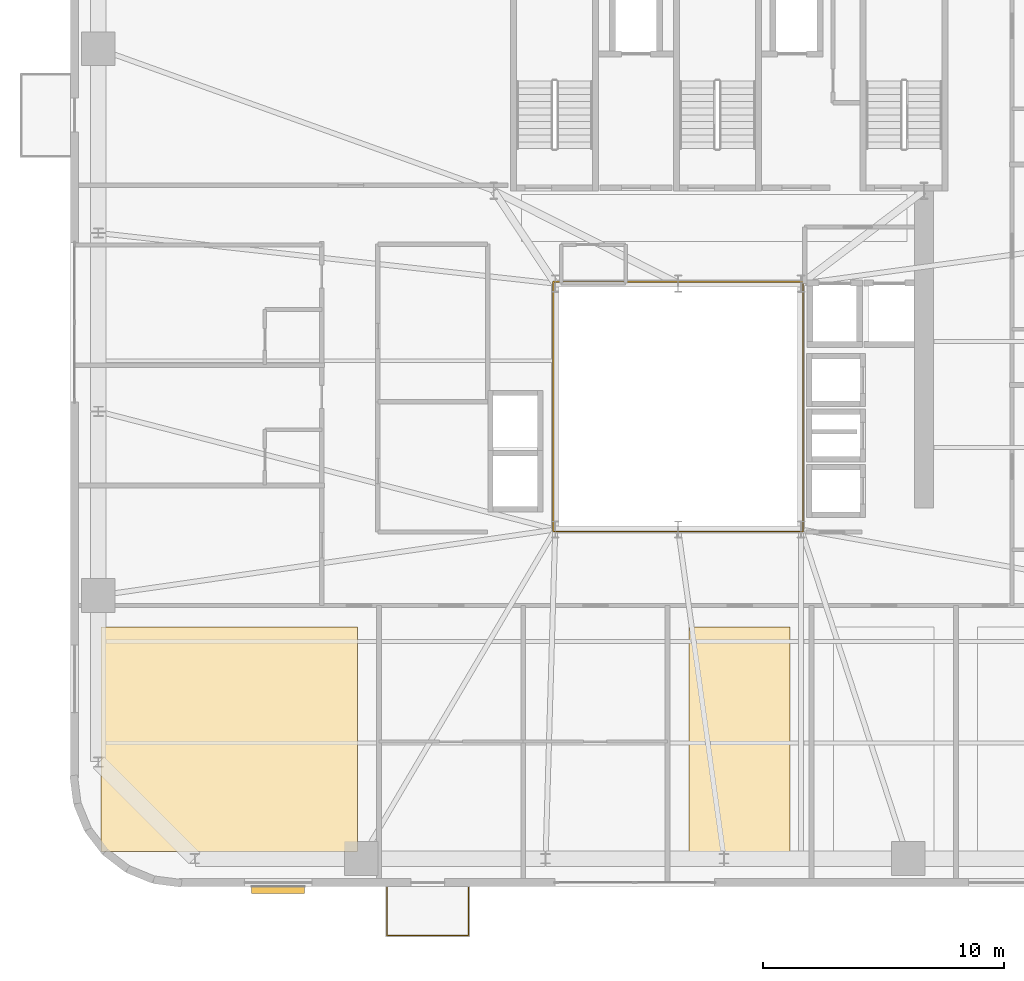
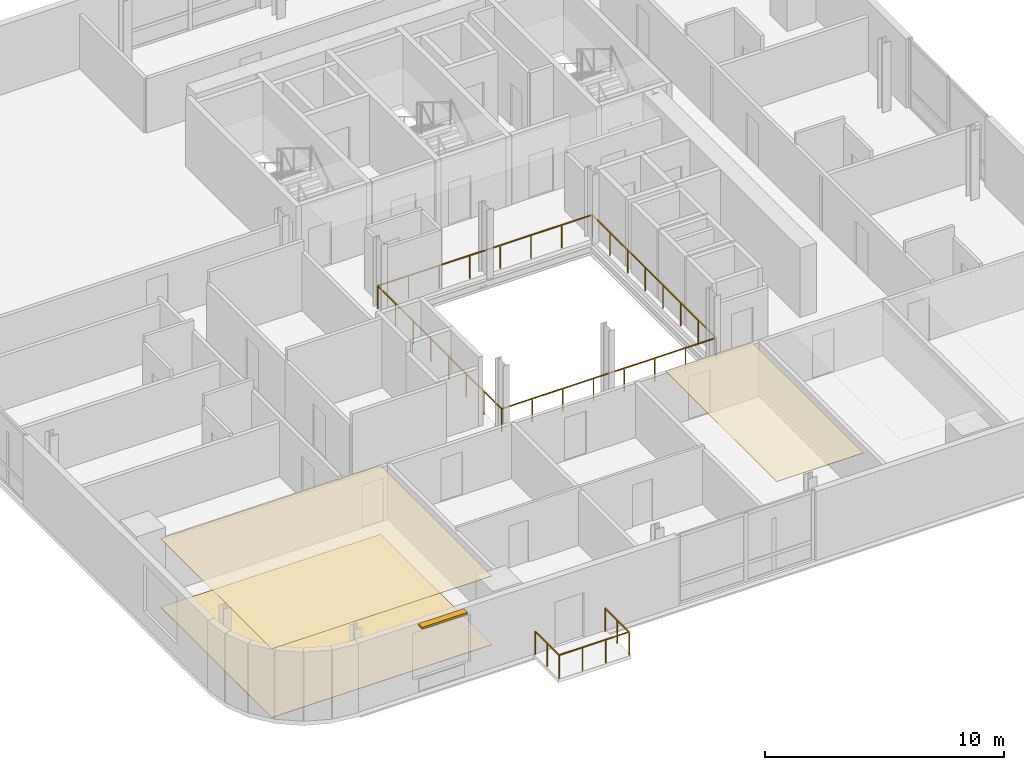
# One storey, part 12 of 16: 3 coverings, 2 railings, 1 shading device.
"""IFC4 building model written with IfcOpenShell, lengths in metres."""

import ifcopenshell
import ifcopenshell.guid

model = None  # the IFC model being written
_history = None  # IfcOwnerHistory: only IFC2X3 demands one
_inside = {}  # id of a spatial element -> (the spatial element, [elements in it])
_under = {}  # id of a project, library or spatial element -> (it, [spatial elements below it])
_declared = {}  # id of a project -> (the project, [libraries it declares])
_typed = {}  # id of a type object -> (the type object, [elements of that type])
_made_of = {}  # id of a material, layer set ... -> (it, [elements and type objects made of it])


def new_model(schema):
    """Start an empty IFC model of exactly this schema.

    Asked for "IFC4X3", IfcOpenShell would pick the latest addendum, in which some entities
    have other attributes; the version numbers below select the first issue.
    IFC2X3 requires an IfcOwnerHistory on every rooted entity: one is made here for all.
    """
    global model, _history
    if schema == "IFC4X3":
        model = ifcopenshell.file(schema_version=(4, 3, 0, 0))
    else:
        model = ifcopenshell.file(schema=schema)
    _inside.clear()
    _under.clear()
    _declared.clear()
    _typed.clear()
    _made_of.clear()
    _history = None
    if model.schema == "IFC2X3":
        org = make("IfcOrganization", Name="unknown")
        user = make(
            "IfcPersonAndOrganization",
            ThePerson=make("IfcPerson", FamilyName="unknown"),
            TheOrganization=org,
        )
        app = make(
            "IfcApplication",
            ApplicationDeveloper=org,
            Version="unknown",
            ApplicationFullName="unknown",
            ApplicationIdentifier="unknown",
        )
        _history = make(
            "IfcOwnerHistory",
            OwningUser=user,
            OwningApplication=app,
            ChangeAction="ADDED",
            CreationDate=0,
        )
    return model


def make(cls, **values):
    """One entity of the class cls with the attributes given. An attribute that is None is left unset."""
    return model.create_entity(
        cls, **{name: value for name, value in values.items() if value is not None}
    )


def rooted(cls, **values):
    """An entity with a GlobalId (a new one), such as an element, a storey or a relation."""
    return make(cls, GlobalId=ifcopenshell.guid.new(), OwnerHistory=_history, **values)


def si_unit(unit_type, name, prefix=None):
    """IfcSIUnit, for example si_unit("LENGTHUNIT", "METRE", prefix="MILLI")."""
    return make("IfcSIUnit", UnitType=unit_type, Prefix=prefix, Name=name)


def assignment(units):
    """IfcUnitAssignment: the units of a project."""
    return None if units is None else make("IfcUnitAssignment", Units=units)


def point(xyz):
    """IfcCartesianPoint."""
    return None if xyz is None else make("IfcCartesianPoint", Coordinates=xyz)


def direction(xyz):
    """IfcDirection."""
    return None if xyz is None else make("IfcDirection", DirectionRatios=xyz)


def frame(location, z_axis=None, x_axis=None):
    """IfcAxis2Placement3D, a coordinate frame: its origin and axes. An axis left out is left unset."""
    return make(
        "IfcAxis2Placement3D",
        Location=point(location),
        Axis=direction(z_axis),
        RefDirection=direction(x_axis),
    )


def frame_2d(location, x_axis=None):
    """IfcAxis2Placement2D, a coordinate frame in the plane: its origin and x axis."""
    return make(
        "IfcAxis2Placement2D", Location=point(location), RefDirection=direction(x_axis)
    )


def origin():
    """The frame at (0, 0, 0) with its axes left unset."""
    return frame((0.0, 0.0, 0.0))


def origin_2d():
    """The frame at (0, 0) in the plane with its x axis left unset."""
    return frame_2d((0.0, 0.0))


def place(relative_to, where):
    """IfcLocalPlacement: puts the frame where relative to a parent placement (None: the world)."""
    return make(
        "IfcLocalPlacement", PlacementRelTo=relative_to, RelativePlacement=where
    )


def context(
    kind, dimensions, precision=None, world=None, true_north=None, identifier=None
):
    """IfcGeometricRepresentationContext, for example the 3D "Model" context."""
    return make(
        "IfcGeometricRepresentationContext",
        ContextIdentifier=identifier,
        ContextType=kind,
        CoordinateSpaceDimension=dimensions,
        Precision=precision,
        WorldCoordinateSystem=world,
        TrueNorth=true_north,
    )


def subcontext(parent, identifier, kind, view, scale=None):
    """IfcGeometricRepresentationSubContext, for example "Body" below "Model"."""
    return make(
        "IfcGeometricRepresentationSubContext",
        ContextIdentifier=identifier,
        ContextType=kind,
        ParentContext=parent,
        TargetScale=scale,
        TargetView=view,
    )


def project(units=None, contexts=None):
    """IfcProject with its units and contexts."""
    return rooted(
        "IfcProject",
        Name="project",
        RepresentationContexts=contexts,
        UnitsInContext=assignment(units),
    )


def spatial(cls, under=None, at=None, **own):
    """A site, building, storey or space (cls), placed at a placement, below another one or the project."""
    s = rooted(cls, ObjectPlacement=at, **own)
    if under is not None:
        _under.setdefault(under.id(), (under, []))[1].append(s)
    return s


def polyline(points):
    """IfcPolyline through the points."""
    return make("IfcPolyline", Points=[point(p) for p in points])


def profile(cls, at=None, kind="AREA", **sizes):
    """A parametric profile (cls). Its sizes go by their IFC names, for example OverallWidth=200.0."""
    return make(cls, ProfileType=kind, Position=at, **sizes)


def rectangle(**sizes):
    """IfcRectangleProfileDef."""
    return profile("IfcRectangleProfileDef", **sizes)


def outline(outer, holes=None, kind="AREA"):
    """IfcArbitraryClosedProfileDef: a profile drawn as a closed curve; with holes, ...WithVoids."""
    if holes is None:
        return make("IfcArbitraryClosedProfileDef", ProfileType=kind, OuterCurve=outer)
    return make(
        "IfcArbitraryProfileDefWithVoids",
        ProfileType=kind,
        OuterCurve=outer,
        InnerCurves=holes,
    )


def extrude(swept, where, along, depth):
    """IfcExtrudedAreaSolid: the profile swept, set in the frame where, extruded along a direction by depth."""
    return make(
        "IfcExtrudedAreaSolid",
        SweptArea=swept,
        Position=where,
        ExtrudedDirection=direction(along),
        Depth=depth,
    )


def shape(context_of_items, identifier, shape_type, items):
    """IfcShapeRepresentation: the items that make up one representation, for example the "Body"."""
    return make(
        "IfcShapeRepresentation",
        ContextOfItems=context_of_items,
        RepresentationIdentifier=identifier,
        RepresentationType=shape_type,
        Items=items,
    )


def source(mapping_origin, context_of_items, identifier, shape_type, items):
    """IfcRepresentationMap: a shape defined once, which mapped items show again and again."""
    return make(
        "IfcRepresentationMap",
        MappingOrigin=mapping_origin,
        MappedRepresentation=shape(context_of_items, identifier, shape_type, items),
    )


def transform(
    local_origin,
    x_axis=None,
    y_axis=None,
    z_axis=None,
    scale=None,
    scale2=None,
    scale3=None,
    uniform=True,
):
    """IfcCartesianTransformationOperator3D, or its non-uniform kind. x_axis, y_axis, z_axis: its Axis1, 2, 3."""
    if uniform:
        return make(
            "IfcCartesianTransformationOperator3D",
            Axis1=direction(x_axis),
            Axis2=direction(y_axis),
            LocalOrigin=point(local_origin),
            Scale=scale,
            Axis3=direction(z_axis),
        )
    return make(
        "IfcCartesianTransformationOperator3DnonUniform",
        Axis1=direction(x_axis),
        Axis2=direction(y_axis),
        LocalOrigin=point(local_origin),
        Scale=scale,
        Axis3=direction(z_axis),
        Scale2=scale2,
        Scale3=scale3,
    )


def mapped(mapping_source, mapping_target):
    """IfcMappedItem: shows the shape of a source again, moved by a transform."""
    return make(
        "IfcMappedItem", MappingSource=mapping_source, MappingTarget=mapping_target
    )


def material(Name=None, Category=None):
    """IfcMaterial."""
    return make("IfcMaterial", Name=Name, Category=Category)


def layer(
    of_material, thickness, ventilated=None, Name=None, Category=None, Priority=None
):
    """IfcMaterialLayer: one layer of a wall or slab, of a material (None: an air gap)."""
    return make(
        "IfcMaterialLayer",
        Material=of_material,
        LayerThickness=thickness,
        IsVentilated=ventilated,
        Name=Name,
        Category=Category,
        Priority=Priority,
    )


def layer_set(layers, Name=None):
    """IfcMaterialLayerSet."""
    return make("IfcMaterialLayerSet", MaterialLayers=layers, LayerSetName=Name)


def made_of(thing, what):
    """Note that an element or type object is made of a material, layer set ...; save() writes the relation."""
    if what is not None:
        _made_of.setdefault(what.id(), (what, []))[1].append(thing)
    return thing


def type_object(cls, material=None, **own):
    """A type object (cls), such as IfcWallType, which elements share."""
    return made_of(rooted(cls, **own), material)


def element(
    cls,
    number,
    at=None,
    inside=None,
    cuts=None,
    type_object=None,
    material=None,
    context=None,
    identifier="Body",
    shape_type=None,
    held_by="IfcProductDefinitionShape",
    body=None,
    shapes=None,
    **own,
):
    """One element of the class cls, such as IfcWall. Its Tag is "e" and its number.

    at: its placement. inside: the storey or other place that contains it. cuts: it is an
    opening in that element (IfcRelVoidsElement). A single representation is given by context,
    identifier, shape_type and body (its items); several are given by shapes. held_by: the class
    of the entity that holds the representations. save() writes the other relations.
    """
    e = rooted(cls, Tag="e%d" % number, ObjectPlacement=at, **own)
    if body is not None:
        shapes = [shape(context, identifier, shape_type, body)]
    if shapes is not None:
        e.Representation = make(held_by, Representations=shapes)
    if inside is not None:
        _inside.setdefault(inside.id(), (inside, []))[1].append(e)
    if cuts is not None:
        rooted(
            "IfcRelVoidsElement", RelatingBuildingElement=cuts, RelatedOpeningElement=e
        )
    if type_object is not None:
        _typed.setdefault(type_object.id(), (type_object, []))[1].append(e)
    return made_of(e, material)


def aggregate(whole, parts):
    """IfcRelAggregates: a whole, such as a stair, and the parts it consists of."""
    return rooted("IfcRelAggregates", RelatingObject=whole, RelatedObjects=parts)


def save(model, path):
    """Write the relations noted so far, then the file.

    IfcRelAggregates (storeys below a building ...), IfcRelContainedInSpatialStructure (elements
    in a storey), IfcRelDefinesByType, IfcRelAssociatesMaterial and IfcRelDeclares: one each for
    every whole, place, type object, material and project.
    """
    for whole, parts in _under.values():
        aggregate(whole, parts)
    for where, things in _inside.values():
        rooted(
            "IfcRelContainedInSpatialStructure",
            RelatedElements=things,
            RelatingStructure=where,
        )
    for kind, things in _typed.values():
        rooted("IfcRelDefinesByType", RelatedObjects=things, RelatingType=kind)
    for what, things in _made_of.values():
        rooted("IfcRelAssociatesMaterial", RelatedObjects=things, RelatingMaterial=what)
    for by, libraries in _declared.values():
        rooted("IfcRelDeclares", RelatingContext=by, RelatedDefinitions=libraries)
    model.write(path)


model = new_model("IFC4")

# Units and contexts
model_context = context("Model", 3, precision=1e-05, world=origin(), true_north=direction((0.0, 1.0)))
body_context = subcontext(model_context, "Body", "Model", "MODEL_VIEW")
ifc_project = project(units=[si_unit("LENGTHUNIT", "METRE"), si_unit("AREAUNIT", "SQUARE_METRE"), si_unit("VOLUMEUNIT", "CUBIC_METRE"), si_unit("PLANEANGLEUNIT", "RADIAN"), si_unit("MASSUNIT", "GRAM", prefix="KILO")], contexts=[model_context])

# Site, building, storey
site_placement = place(None, origin())
site = spatial("IfcSite", under=ifc_project, at=site_placement, CompositionType="ELEMENT")
building_placement = place(site_placement, origin())
building = spatial("IfcBuilding", under=site, at=building_placement, Name="Vardaveli Station Tower", CompositionType="ELEMENT")
storey_placement = place(building_placement, frame((0.0, 0.0, 203.550048828125)))
storey = spatial("IfcBuildingStorey", under=building, at=storey_placement, Name="L52", CompositionType="ELEMENT", Elevation=203.550048828125)

# Coverings
ifc_material_1 = material(Name="Perforated acoustic mineral ceiling")
ifc_layer_1 = layer(ifc_material_1, 0.02001953125, Name="Perforated acoustic mineral ceiling")
ifc_layer_set_1 = layer_set([ifc_layer_1], Name="Perforated acoustic mineral ceiling")
covering_type_1 = type_object("IfcCoveringType", Name="COV-CEIL-AC20", PredefinedType="CEILING", material=ifc_layer_set_1)
covering_1_placement = place(storey_placement, frame((0.0, 0.0, 3.514892578125)))
element("IfcCovering", 1, at=covering_1_placement, inside=storey, type_object=covering_type_1, Name="CEIL-L52-1", PredefinedType="CEILING", context=body_context, shape_type="SweptSolid", body=[
    extrude(outline(polyline([(12.35009765625, 3.25), (22.989990234375, 3.25), (22.989990234375, 12.550048828125), (12.35009765625, 12.550048828125), (12.35009765625, 3.25)])), origin(), (0.0, 0.0, 1.0), 0.02001953125),
])
covering_2_placement = place(storey_placement, frame((0.0, 0.0, 3.514892578125)))
element("IfcCovering", 2, at=covering_2_placement, inside=storey, type_object=covering_type_1, Name="CEIL-L52-2", PredefinedType="CEILING", context=body_context, shape_type="SweptSolid", body=[
    extrude(outline(polyline([(36.7548828125, 3.25), (40.9375, 3.25), (40.9375, 12.550048828125), (36.7548828125, 12.550048828125), (36.7548828125, 3.25)])), origin(), (0.0, 0.0, 1.0), 0.02001953125),
])
ifc_material_2 = material(Name="Honed Caucasian basalt and travertine flooring", Category="masonry")
ifc_layer_2 = layer(ifc_material_2, 0.030029296875, Name="Honed Caucasian basalt and travertine flooring")
ifc_layer_set_2 = layer_set([ifc_layer_2], Name="Honed Caucasian basalt and travertine flooring")
covering_type_2 = type_object("IfcCoveringType", Name="COV-FLOOR-ST30", PredefinedType="FLOORING", material=ifc_layer_set_2)
covering_3_placement = place(storey_placement, origin())
element("IfcCovering", 3, at=covering_3_placement, inside=storey, type_object=covering_type_2, Name="FLR-L52-1", PredefinedType="FLOORING", context=body_context, shape_type="SweptSolid", body=[
    extrude(outline(polyline([(12.35009765625, 3.25), (22.989990234375, 3.25), (22.989990234375, 12.550048828125), (12.35009765625, 12.550048828125), (12.35009765625, 3.25)])), origin(), (0.0, 0.0, 1.0), 0.030029296875),
])

# Railing
ifc_material_3 = material(Name="Laminated glass and stainless steel balustrade", Category="steel")
railing_type = type_object("IfcRailingType", Name="RL-BAL-1200", PredefinedType="BALUSTRADE", material=ifc_material_3)
shared_shape_1 = source(origin(), body_context, "Body", "SweptSolid", [
    extrude(rectangle(XDim=0.048095703125, YDim=0.048095703125, at=origin_2d()), frame((0.0, 0.0, 1.17578125), z_axis=(0.0, -1.0, 0.0), x_axis=(1.0, 0.0, 0.0)), (0.0, 0.0, 1.0), 2.0),
    extrude(rectangle(XDim=0.048095703125, YDim=0.048095703125, at=origin_2d()), frame((0.0, -2.0, 1.17578125), z_axis=(1.0, 0.0, 0.0), x_axis=(0.0, 1.0, 0.0)), (0.0, 0.0, 1.0), 3.3798828125),
    extrude(rectangle(XDim=0.048095703125, YDim=0.048095703125, at=origin_2d()), frame((3.3798828125, -2.0, 1.17578125), z_axis=(0.0, 1.0, 0.0), x_axis=(-1.0, 0.0, 0.0)), (0.0, 0.0, 1.0), 2.0),
    extrude(rectangle(XDim=0.0419921875, YDim=0.0419921875, at=origin_2d()), origin(), (0.0, 0.0, 1.0), 1.15185546875),
    extrude(rectangle(XDim=0.0419921875, YDim=0.0419921875, at=origin_2d()), frame((0.0, -1.0, 0.0)), (0.0, 0.0, 1.0), 1.15185546875),
    extrude(rectangle(XDim=0.0419921875, YDim=0.0419921875, at=origin_2d()), frame((0.0, -2.0, 0.0)), (0.0, 0.0, 1.0), 1.15185546875),
    extrude(rectangle(XDim=0.0419921875, YDim=0.0419921875, at=origin_2d()), frame((1.126708984375, -2.0, 0.0)), (0.0, 0.0, 1.0), 1.15185546875),
    extrude(rectangle(XDim=0.0419921875, YDim=0.0419921875, at=origin_2d()), frame((2.253173828125, -2.0, 0.0)), (0.0, 0.0, 1.0), 1.15185546875),
    extrude(rectangle(XDim=0.0419921875, YDim=0.0419921875, at=origin_2d()), frame((3.3798828125, -2.0, 0.0)), (0.0, 0.0, 1.0), 1.15185546875),
    extrude(rectangle(XDim=0.0419921875, YDim=0.0419921875, at=origin_2d()), frame((3.3798828125, -1.0, 0.0)), (0.0, 0.0, 1.0), 1.15185546875),
    extrude(rectangle(XDim=0.0419921875, YDim=0.0419921875, at=origin_2d()), frame((3.3798828125, 0.0, 0.0)), (0.0, 0.0, 1.0), 1.15185546875),
])
railing_1_placement = place(storey_placement, frame((24.220458984375, 1.760009765625, 0.0)))
element("IfcRailing", 4, at=railing_1_placement, inside=storey, type_object=railing_type, Name="RL-LOG-L52-01", PredefinedType="BALUSTRADE", context=body_context, shape_type="MappedRepresentation", body=[
    mapped(shared_shape_1, transform((0.0, 0.0, 0.0), scale=1.0)),
])

# Shading device
ifc_material_4 = material(Name="Anodised champagne aluminium sunshade", Category="aluminium")
ifc_layer_3 = layer(ifc_material_4, 0.090087890625, Name="Anodised champagne aluminium sunshade")
ifc_layer_set_3 = layer_set([ifc_layer_3], Name="Anodised champagne aluminium sunshade")
shading_device_type = type_object("IfcShadingDeviceType", Name="SHD-SUNSHADE", PredefinedType="USERDEFINED", material=ifc_layer_set_3)
shared_shape_2 = source(origin(), body_context, "Body", "SweptSolid", [
    extrude(rectangle(XDim=2.199951171875, YDim=0.320068359375, at=origin_2d()), origin(), (0.0, 0.0, 1.0), 0.090087890625),
])
shading_device_placement = place(storey_placement, frame((19.705078125, 1.655029296875, 3.40966796875), z_axis=(0.0, 0.0, 1.0), x_axis=(1.0, 0.0, 0.0)))
element("IfcShadingDevice", 5, at=shading_device_placement, inside=storey, type_object=shading_device_type, Name="SHD-SS-L52-S", ObjectType="SUNSHADE", PredefinedType="USERDEFINED", context=body_context, shape_type="MappedRepresentation", body=[
    mapped(shared_shape_2, transform((0.0, 0.0, 0.0), scale=1.0)),
])

# Railing
shared_shape_3 = source(origin(), body_context, "Body", "SweptSolid", [
    extrude(rectangle(XDim=0.048095703125, YDim=0.048095703125, at=origin_2d()), frame((0.0, 0.0, 1.17578125), z_axis=(1.0, 0.0, 0.0), x_axis=(0.0, 1.0, 0.0)), (0.0, 0.0, 1.0), 10.35986328125),
    extrude(rectangle(XDim=0.048095703125, YDim=0.048095703125, at=origin_2d()), frame((10.35986328125, 0.0, 1.17578125), z_axis=(0.0, 1.0, 0.0), x_axis=(-1.0, 0.0, 0.0)), (0.0, 0.0, 1.0), 10.35986328125),
    extrude(rectangle(XDim=0.048095703125, YDim=0.048095703125, at=origin_2d()), frame((10.35986328125, 10.35986328125, 1.17578125), z_axis=(-1.0, 0.0, 0.0), x_axis=(0.0, -1.0, 0.0)), (0.0, 0.0, 1.0), 10.35986328125),
    extrude(rectangle(XDim=0.048095703125, YDim=0.048095703125, at=origin_2d()), frame((0.0, 10.35986328125, 1.17578125), z_axis=(0.0, -1.0, 0.0), x_axis=(1.0, 0.0, 0.0)), (0.0, 0.0, 1.0), 10.35986328125),
    extrude(rectangle(XDim=0.0419921875, YDim=0.0419921875, at=origin_2d()), origin(), (0.0, 0.0, 1.0), 1.15185546875),
    extrude(rectangle(XDim=0.0419921875, YDim=0.0419921875, at=origin_2d()), frame((1.47998046875, 0.0, 0.0)), (0.0, 0.0, 1.0), 1.15185546875),
    extrude(rectangle(XDim=0.0419921875, YDim=0.0419921875, at=origin_2d()), frame((2.9599609375, 0.0, 0.0)), (0.0, 0.0, 1.0), 1.15185546875),
    extrude(rectangle(XDim=0.0419921875, YDim=0.0419921875, at=origin_2d()), frame((4.43994140625, 0.0, 0.0)), (0.0, 0.0, 1.0), 1.15185546875),
    extrude(rectangle(XDim=0.0419921875, YDim=0.0419921875, at=origin_2d()), frame((5.919921875, 0.0, 0.0)), (0.0, 0.0, 1.0), 1.15185546875),
    extrude(rectangle(XDim=0.0419921875, YDim=0.0419921875, at=origin_2d()), frame((7.39990234375, 0.0, 0.0)), (0.0, 0.0, 1.0), 1.15185546875),
    extrude(rectangle(XDim=0.0419921875, YDim=0.0419921875, at=origin_2d()), frame((8.8798828125, 0.0, 0.0)), (0.0, 0.0, 1.0), 1.15185546875),
    extrude(rectangle(XDim=0.0419921875, YDim=0.0419921875, at=origin_2d()), frame((10.35986328125, 0.0, 0.0)), (0.0, 0.0, 1.0), 1.15185546875),
    extrude(rectangle(XDim=0.0419921875, YDim=0.0419921875, at=origin_2d()), frame((10.35986328125, 1.47998046875, 0.0)), (0.0, 0.0, 1.0), 1.15185546875),
    extrude(rectangle(XDim=0.0419921875, YDim=0.0419921875, at=origin_2d()), frame((10.35986328125, 2.9599609375, 0.0)), (0.0, 0.0, 1.0), 1.15185546875),
    extrude(rectangle(XDim=0.0419921875, YDim=0.0419921875, at=origin_2d()), frame((10.35986328125, 4.43994140625, 0.0)), (0.0, 0.0, 1.0), 1.15185546875),
    extrude(rectangle(XDim=0.0419921875, YDim=0.0419921875, at=origin_2d()), frame((10.35986328125, 5.919921875, 0.0)), (0.0, 0.0, 1.0), 1.15185546875),
    extrude(rectangle(XDim=0.0419921875, YDim=0.0419921875, at=origin_2d()), frame((10.35986328125, 7.39990234375, 0.0)), (0.0, 0.0, 1.0), 1.15185546875),
    extrude(rectangle(XDim=0.0419921875, YDim=0.0419921875, at=origin_2d()), frame((10.35986328125, 8.8798828125, 0.0)), (0.0, 0.0, 1.0), 1.15185546875),
    extrude(rectangle(XDim=0.0419921875, YDim=0.0419921875, at=origin_2d()), frame((10.35986328125, 10.35986328125, 0.0)), (0.0, 0.0, 1.0), 1.15185546875),
    extrude(rectangle(XDim=0.0419921875, YDim=0.0419921875, at=origin_2d()), frame((8.8798828125, 10.35986328125, 0.0)), (0.0, 0.0, 1.0), 1.15185546875),
    extrude(rectangle(XDim=0.0419921875, YDim=0.0419921875, at=origin_2d()), frame((7.39990234375, 10.35986328125, 0.0)), (0.0, 0.0, 1.0), 1.15185546875),
    extrude(rectangle(XDim=0.0419921875, YDim=0.0419921875, at=origin_2d()), frame((5.919921875, 10.35986328125, 0.0)), (0.0, 0.0, 1.0), 1.15185546875),
    extrude(rectangle(XDim=0.0419921875, YDim=0.0419921875, at=origin_2d()), frame((4.43994140625, 10.35986328125, 0.0)), (0.0, 0.0, 1.0), 1.15185546875),
    extrude(rectangle(XDim=0.0419921875, YDim=0.0419921875, at=origin_2d()), frame((2.9599609375, 10.35986328125, 0.0)), (0.0, 0.0, 1.0), 1.15185546875),
    extrude(rectangle(XDim=0.0419921875, YDim=0.0419921875, at=origin_2d()), frame((1.47998046875, 10.35986328125, 0.0)), (0.0, 0.0, 1.0), 1.15185546875),
    extrude(rectangle(XDim=0.0419921875, YDim=0.0419921875, at=origin_2d()), frame((0.0, 10.35986328125, 0.0)), (0.0, 0.0, 1.0), 1.15185546875),
    extrude(rectangle(XDim=0.0419921875, YDim=0.0419921875, at=origin_2d()), frame((0.0, 8.8798828125, 0.0)), (0.0, 0.0, 1.0), 1.15185546875),
    extrude(rectangle(XDim=0.0419921875, YDim=0.0419921875, at=origin_2d()), frame((0.0, 7.39990234375, 0.0)), (0.0, 0.0, 1.0), 1.15185546875),
    extrude(rectangle(XDim=0.0419921875, YDim=0.0419921875, at=origin_2d()), frame((0.0, 5.919921875, 0.0)), (0.0, 0.0, 1.0), 1.15185546875),
    extrude(rectangle(XDim=0.0419921875, YDim=0.0419921875, at=origin_2d()), frame((0.0, 4.43994140625, 0.0)), (0.0, 0.0, 1.0), 1.15185546875),
    extrude(rectangle(XDim=0.0419921875, YDim=0.0419921875, at=origin_2d()), frame((0.0, 2.9599609375, 0.0)), (0.0, 0.0, 1.0), 1.15185546875),
    extrude(rectangle(XDim=0.0419921875, YDim=0.0419921875, at=origin_2d()), frame((0.0, 1.47998046875, 0.0)), (0.0, 0.0, 1.0), 1.15185546875),
])
railing_2_placement = place(storey_placement, frame((31.1201171875, 16.52001953125, 0.0)))
element("IfcRailing", 6, at=railing_2_placement, inside=storey, type_object=railing_type, Name="RL-ATR-L52", PredefinedType="BALUSTRADE", context=body_context, shape_type="MappedRepresentation", body=[
    mapped(shared_shape_3, transform((0.0, 0.0, 0.0), scale=1.0)),
])

save(model, "model.ifc")
